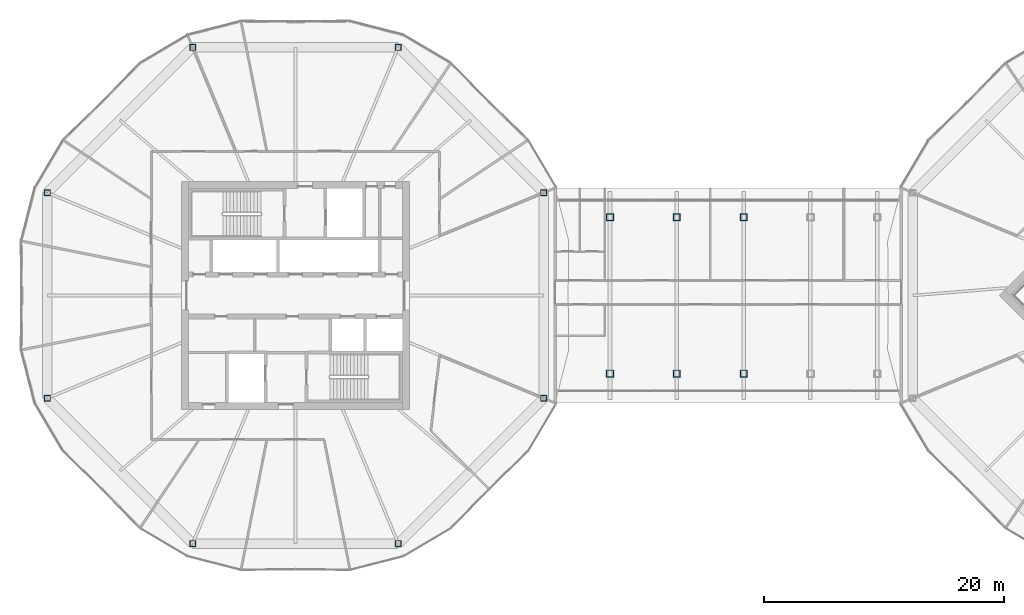
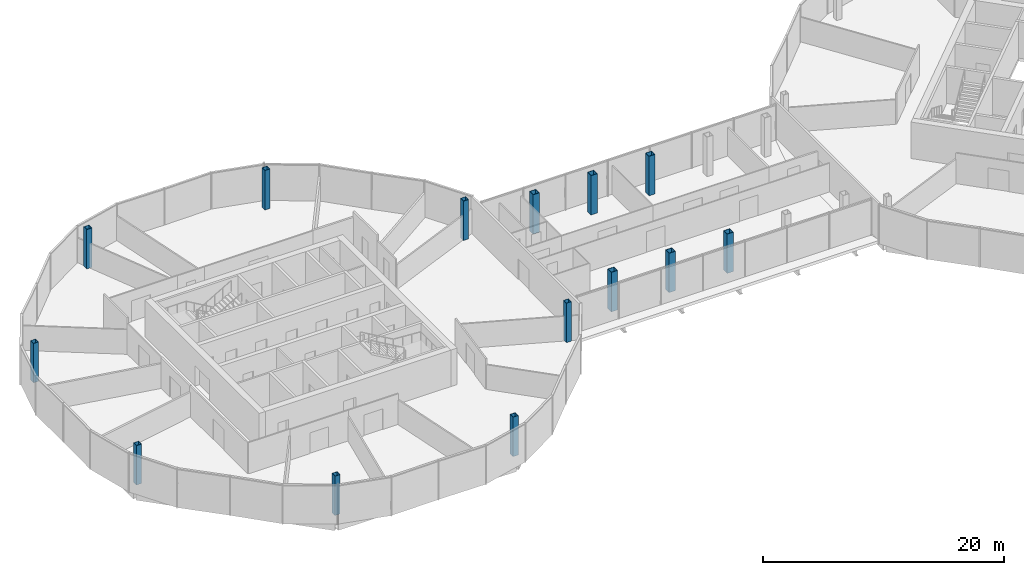
# One storey, part 1 of 25: 14 columns.
"""IFC4 building model written with IfcOpenShell, lengths in metres."""

from ifc_helpers import new_model, si_unit, direction, frame, origin, origin_2d, place, context, subcontext, project, spatial, hollow_rectangle, extrude, material, material_profile, profile_set, type_object, element, save


model = new_model("IFC4")

# Units and contexts
model_context = context("Model", 3, precision=1e-05, world=origin(), true_north=direction((0.0, 1.0)))
body_context = subcontext(model_context, "Body", "Model", "MODEL_VIEW")
ifc_project = project(units=[si_unit("LENGTHUNIT", "METRE"), si_unit("AREAUNIT", "SQUARE_METRE"), si_unit("VOLUMEUNIT", "CUBIC_METRE"), si_unit("PLANEANGLEUNIT", "RADIAN"), si_unit("MASSUNIT", "GRAM", prefix="KILO")], contexts=[model_context])

# Site, building, storey
site_placement = place(None, origin())
site = spatial("IfcSite", under=ifc_project, at=site_placement, CompositionType="ELEMENT")
building_placement = place(site_placement, origin())
building = spatial("IfcBuilding", under=site, at=building_placement, Name="Ogive Gate Towers", CompositionType="ELEMENT")
storey_placement = place(building_placement, frame((0.0, 0.0, 140.800048828125)))
storey = spatial("IfcBuildingStorey", under=building, at=storey_placement, Name="L33", CompositionType="ELEMENT", Elevation=140.800048828125)

# Columns
ifc_material = material(Name="Steel SM460", Category="steel")
ifc_material_profile_1 = material_profile(ifc_material, hollow_rectangle(XDim=0.60009765625, YDim=0.60009765625, WallThickness=0.0400390625, at=origin_2d()), Name="BX 600x600x40")
ifc_profile_set_1 = profile_set([ifc_material_profile_1], Name="Steel SM460")
column_type_1 = type_object("IfcColumnType", Name="Block column BX 600x600x40", PredefinedType="COLUMN", material=ifc_profile_set_1)
for number, where, z_axis, x_axis, name in (
    (1, (-9.83056640625, -6.5, 0.0), (0.0, 0.0, 1.0), (1.0, 0.0, 0.0), "BR/L33/SCL001"),
    (2, (-9.83056640625, 6.5, 0.0), (0.0, 0.0, 1.0), (1.0, 0.0, 0.0), "BR/L33/SCL002"),
    (3, (-4.27392578125, -6.5, 0.0), (0.0, 0.0, 1.0), (1.0, 0.0, 0.0), "BR/L33/SCL003"),
    (4, (-4.27392578125, 6.5, 0.0), (0.0, 0.0, 1.0), (1.0, 0.0, 0.0), "BR/L33/SCL004"),
    (5, (1.282470703125, -6.5, 0.0), (0.0, 0.0, 1.0), (1.0, 0.0, 0.0), "BR/L33/SCL005"),
    (6, (1.282470703125, 6.5, 0.0), (0.0, 0.0, 1.0), (1.0, 0.0, 0.0), "BR/L33/SCL006"),
):
    element("IfcColumn", number, at=place(storey_placement, frame(where, z_axis=z_axis, x_axis=x_axis)), inside=storey, type_object=column_type_1, Name=name, PredefinedType="COLUMN", context=body_context, shape_type="SweptSolid", body=[
        extrude(hollow_rectangle(XDim=0.60009765625, YDim=0.60009765625, WallThickness=0.0400390625, at=origin_2d()), origin(), (0.0, 0.0, 1.0), 4.0),
    ])
ifc_material_profile_2 = material_profile(ifc_material, hollow_rectangle(XDim=0.5, YDim=0.5, WallThickness=0.030029296875, at=origin_2d()), Name="BX 500x500x30")
ifc_profile_set_2 = profile_set([ifc_material_profile_2], Name="Steel SM460")
column_type_2 = type_object("IfcColumnType", Name="Perimeter post BX 500x500x30", PredefinedType="COLUMN", material=ifc_profile_set_2)
for number, where, z_axis, x_axis, name in (
    (7, (-15.360595703125, 8.549072265625, 0.0), (0.0, 0.0, 1.0), (1.0, 0.0, 0.0), "T1/L33/SCL001"),
    (8, (-27.450927734375, 20.639404296875, 0.0), (0.0, 0.0, 1.0), (1.0, 0.0, 0.0), "T1/L33/SCL002"),
    (9, (-44.549072265625, 20.639404296875, 0.0), (0.0, 0.0, 1.0), (1.0, 0.0, 0.0), "T1/L33/SCL003"),
    (10, (-56.639404296875, 8.549072265625, 0.0), (0.0, 0.0, 1.0), (1.0, 0.0, 0.0), "T1/L33/SCL004"),
    (11, (-56.639404296875, -8.549072265625, 0.0), (0.0, 0.0, 1.0), (1.0, 0.0, 0.0), "T1/L33/SCL005"),
    (12, (-44.549072265625, -20.639404296875, 0.0), (0.0, 0.0, 1.0), (1.0, 0.0, 0.0), "T1/L33/SCL006"),
    (13, (-27.450927734375, -20.639404296875, 0.0), (0.0, 0.0, 1.0), (1.0, 0.0, 0.0), "T1/L33/SCL007"),
    (14, (-15.360595703125, -8.549072265625, 0.0), (0.0, 0.0, 1.0), (1.0, 0.0, 0.0), "T1/L33/SCL008"),
):
    element("IfcColumn", number, at=place(storey_placement, frame(where, z_axis=z_axis, x_axis=x_axis)), inside=storey, type_object=column_type_2, Name=name, PredefinedType="COLUMN", context=body_context, shape_type="SweptSolid", body=[
        extrude(hollow_rectangle(XDim=0.5, YDim=0.5, WallThickness=0.030029296875, at=origin_2d()), origin(), (0.0, 0.0, 1.0), 4.0),
    ])

save(model, "model.ifc")
